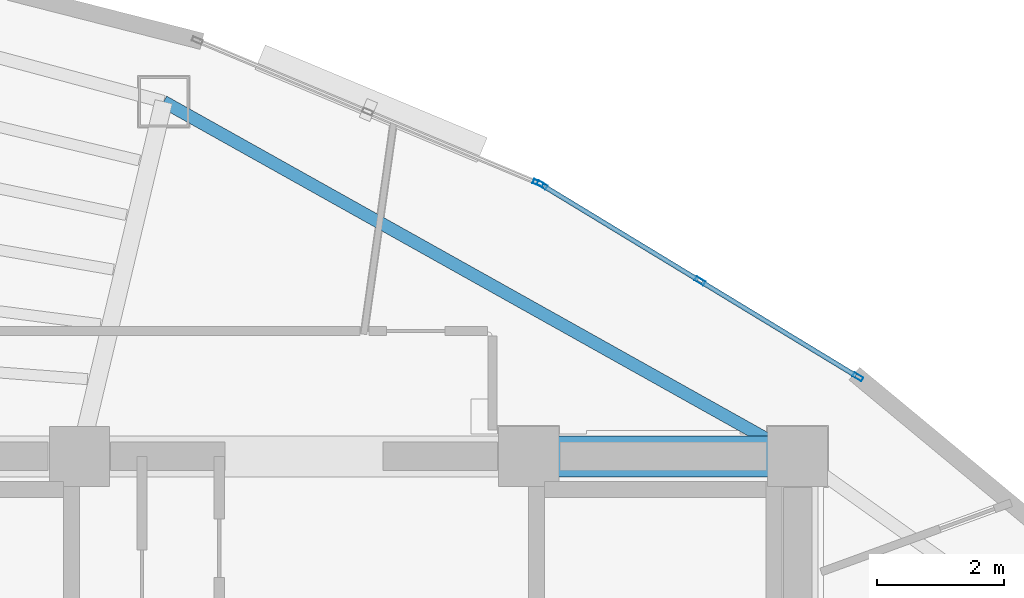
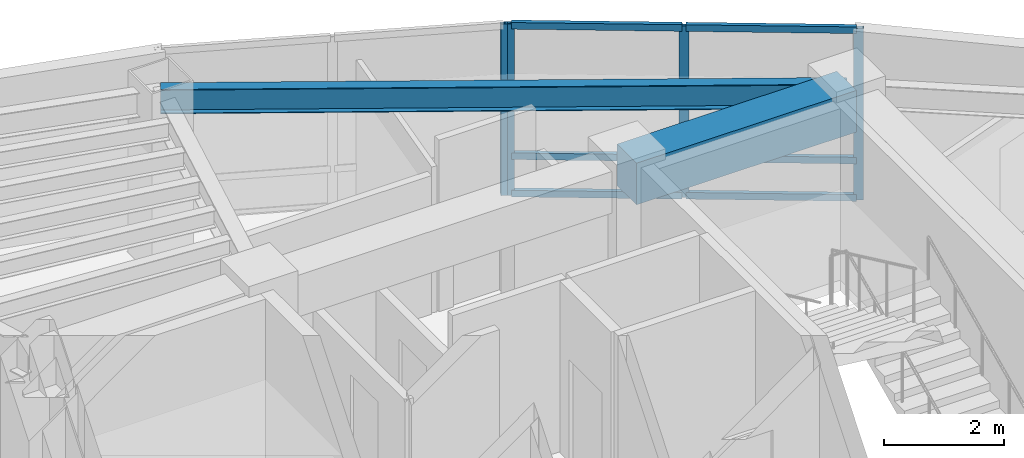
# One storey, part 10 of 16: 10 members, 2 beams, 2 elements without a shape of their own.
"""IFC4 building model written with IfcOpenShell, lengths in metres."""

from ifc_helpers import new_model, si_unit, direction, frame, origin, origin_2d, place, context, subcontext, project, spatial, rectangle, hollow_rectangle, i_section, extrude, material, layer, layer_set, material_profile, profile_set, type_object, element, aggregate, save


model = new_model("IFC4")

# Units and contexts
model_context = context("Model", 3, precision=1e-05, world=origin(), true_north=direction((0.0, 1.0)))
body_context = subcontext(model_context, "Body", "Model", "MODEL_VIEW")
ifc_project = project(units=[si_unit("LENGTHUNIT", "METRE"), si_unit("AREAUNIT", "SQUARE_METRE"), si_unit("VOLUMEUNIT", "CUBIC_METRE"), si_unit("PLANEANGLEUNIT", "RADIAN"), si_unit("MASSUNIT", "GRAM", prefix="KILO")], contexts=[model_context])

# Site, building, storey
site_placement = place(None, origin())
site = spatial("IfcSite", under=ifc_project, at=site_placement, CompositionType="ELEMENT")
building_placement = place(site_placement, origin())
building = spatial("IfcBuilding", under=site, at=building_placement, Name="Menara Vayukalpa", CompositionType="ELEMENT")
storey_placement = place(building_placement, frame((0.0, 0.0, 276.89990234375)))
storey = spatial("IfcBuildingStorey", under=building, at=storey_placement, Name="L70", CompositionType="ELEMENT", Elevation=276.89990234375)

# Beams
ifc_material_1 = material(Name="Concrete C60/75", Category="concrete")
ifc_material_profile_1 = material_profile(ifc_material_1, rectangle(XDim=0.64990234375, YDim=0.85009765625, at=origin_2d()), Name="RC 650x850")
ifc_profile_set_1 = profile_set([ifc_material_profile_1], Name="Concrete C60/75")
beam_type_1 = type_object("IfcBeamType", Name="BM-CB1", PredefinedType="BEAM", material=ifc_profile_set_1)
beam_1_placement = place(storey_placement, frame((29.14990234375, 26.800048828125, 3.0751953125), z_axis=(1.0, 0.0, 0.0), x_axis=(0.0, 1.0, 0.0)))
element("IfcBeam", 1, at=beam_1_placement, inside=storey, type_object=beam_type_1, Name="L70 Core Tie Beam CBR6", PredefinedType="BEAM", context=body_context, shape_type="SweptSolid", body=[
    extrude(rectangle(XDim=0.64990234375, YDim=0.85009765625, at=origin_2d()), origin(), (0.0, 0.0, 1.0), 4.25),
])
ifc_material_2 = material(Name="Steel S355", Category="steel")
ifc_material_profile_2 = material_profile(ifc_material_2, i_section(OverallWidth=0.199951171875, OverallDepth=0.5, WebThickness=0.010009765625, FlangeThickness=0.01611328125, at=origin_2d()), Name="WF 500x200x10x16")
ifc_profile_set_2 = profile_set([ifc_material_profile_2], Name="Steel S355")
beam_type_2 = type_object("IfcBeamType", Name="BM-SP3", PredefinedType="SPANDREL", material=ifc_profile_set_2)
beam_2_placement = place(storey_placement, frame((33.39990234375, 26.800048828125, 3.25), z_axis=(-0.87270577288, 0.48824648896, 0.0), x_axis=(-0.48824648896, -0.87270577288, 0.0)))
element("IfcBeam", 2, at=beam_2_placement, inside=storey, type_object=beam_type_2, Name="L70 Perimeter Spandrel Beam SP02", PredefinedType="SPANDREL", context=body_context, shape_type="SweptSolid", body=[
    extrude(i_section(OverallWidth=0.199951171875, OverallDepth=0.5, WebThickness=0.010009765625, FlangeThickness=0.01611328125, at=origin_2d()), origin(), (0.0, 0.0, 1.0), 11.479248046875),
])

# Curtain wall, members
ifc_material_3 = material(Name="Anodised Terracotta Aluminium Alloy 6063-T6", Category="masonry")
ifc_layer = layer(ifc_material_3, 0.1650390625)
ifc_layer_set = layer_set([ifc_layer], Name="Anodised Terracotta Aluminium Alloy 6063-T6")
curtain_wall_type = type_object("IfcCurtainWallType", Name="CW-CW6", PredefinedType="USERDEFINED", material=ifc_layer_set)
curtain_wall_1_placement = place(storey_placement, origin())
curtain_wall_1 = element("IfcCurtainWall", 3, at=curtain_wall_1_placement, inside=storey, type_object=curtain_wall_type, Name="L70 Observation and Executive Curtain Wall CW6 04", ObjectType="UNITISED", PredefinedType="USERDEFINED")
ifc_material_4 = material(Name="Anodised Terracotta Aluminium Alloy 6063-T6", Category="masonry")
ifc_material_profile_3 = material_profile(ifc_material_4, hollow_rectangle(XDim=0.070068359375, YDim=0.1650390625, WallThickness=0.00390625, at=origin_2d()), Name="ALU 70x165x4")
ifc_profile_set_3 = profile_set([ifc_material_profile_3], Name="Anodised Terracotta Aluminium Alloy 6063-T6")
member_type_1 = type_object("IfcMemberType", Name="CWM-CW6", PredefinedType="MULLION", material=ifc_profile_set_3)
member_1_placement = place(storey_placement, frame((34.35009765625, 28.056396484375, 0.0), z_axis=(0.0, 0.0, 1.0), x_axis=(-0.519175574558, -0.854667609532, 0.0)))
member_1 = element("IfcMember", 4, at=member_1_placement, type_object=member_type_1, Name="CW6 mullion 1", PredefinedType="MULLION", context=body_context, shape_type="SweptSolid", body=[
    extrude(hollow_rectangle(XDim=0.070068359375, YDim=0.1650390625, WallThickness=0.00390625, at=origin_2d()), origin(), (0.0, 0.0, 1.0), 3.5),
])
member_2_placement = place(storey_placement, frame((31.85546875, 29.57177734375, 0.0), z_axis=(0.0, 0.0, 1.0), x_axis=(-0.519175574558, -0.854667609532, 0.0)))
member_2 = element("IfcMember", 5, at=member_2_placement, type_object=member_type_1, Name="CW6 mullion 2", PredefinedType="MULLION", context=body_context, shape_type="SweptSolid", body=[
    extrude(hollow_rectangle(XDim=0.070068359375, YDim=0.1650390625, WallThickness=0.00390625, at=origin_2d()), origin(), (0.0, 0.0, 1.0), 3.5),
])
member_3_placement = place(storey_placement, frame((29.36083984375, 31.087158203125, 0.0), z_axis=(0.0, 0.0, 1.0), x_axis=(-0.519175574558, -0.854667609532, 0.0)))
member_3 = element("IfcMember", 6, at=member_3_placement, type_object=member_type_1, Name="CW6 mullion 3", PredefinedType="MULLION", context=body_context, shape_type="SweptSolid", body=[
    extrude(hollow_rectangle(XDim=0.070068359375, YDim=0.1650390625, WallThickness=0.00390625, at=origin_2d()), origin(), (0.0, 0.0, 1.0), 3.5),
])

# Curtain wall, member
curtain_wall_2_placement = place(storey_placement, origin())
curtain_wall_2 = element("IfcCurtainWall", 7, at=curtain_wall_2_placement, inside=storey, type_object=curtain_wall_type, Name="L70 Observation and Executive Curtain Wall CW6 05", ObjectType="UNITISED", PredefinedType="USERDEFINED")
member_4_placement = place(storey_placement, frame((29.298828125, 31.118896484375, 0.0), z_axis=(0.0, 0.0, 1.0), x_axis=(-0.385899911703, -0.922540653927, 0.0)))
member_4 = element("IfcMember", 8, at=member_4_placement, type_object=member_type_1, Name="CW6 mullion 1", PredefinedType="MULLION", context=body_context, shape_type="SweptSolid", body=[
    extrude(hollow_rectangle(XDim=0.070068359375, YDim=0.1650390625, WallThickness=0.00390625, at=origin_2d()), origin(), (0.0, 0.0, 1.0), 3.5),
])
aggregate(curtain_wall_2, [member_4])

# Member
ifc_material_5 = material(Name="Anodised Terracotta Aluminium Alloy 6063-T6", Category="masonry")
ifc_material_profile_4 = material_profile(ifc_material_5, hollow_rectangle(XDim=0.074951171875, YDim=0.135009765625, WallThickness=0.00390625, at=origin_2d()), Name="ALU 75x135x4")
ifc_profile_set_4 = profile_set([ifc_material_profile_4], Name="Anodised Terracotta Aluminium Alloy 6063-T6")
member_type_2 = type_object("IfcMemberType", Name="CWT-CW6", PredefinedType="USERDEFINED", material=ifc_profile_set_4)
member_5_placement = place(storey_placement, frame((34.320068359375, 28.07470703125, 0.03759765625), z_axis=(-0.854674800659, 0.519163736328, 0.0), x_axis=(-0.519163736328, -0.85467480066, 0.0)))
member_5 = element("IfcMember", 9, at=member_5_placement, type_object=member_type_2, Name="CW6 transom 1.1", ObjectType="TRANSOM", PredefinedType="USERDEFINED", context=body_context, shape_type="SweptSolid", body=[
    extrude(hollow_rectangle(XDim=0.074951171875, YDim=0.135009765625, WallThickness=0.00390625, at=origin_2d()), origin(), (0.0, 0.0, 1.0), 2.848876953125),
])

member_6_placement = place(storey_placement, frame((34.320068359375, 28.07470703125, 0.800048828125), z_axis=(-0.854674800659, 0.519163736328, 0.0), x_axis=(-0.519163736328, -0.85467480066, 0.0)))
member_6 = element("IfcMember", 10, at=member_6_placement, type_object=member_type_2, Name="CW6 transom 1.2", ObjectType="TRANSOM", PredefinedType="USERDEFINED", context=body_context, shape_type="SweptSolid", body=[
    extrude(hollow_rectangle(XDim=0.074951171875, YDim=0.135009765625, WallThickness=0.00390625, at=origin_2d()), origin(), (0.0, 0.0, 1.0), 2.848876953125),
])

member_7_placement = place(storey_placement, frame((34.320068359375, 28.07470703125, 3.462646484375), z_axis=(-0.854674800659, 0.519163736328, 0.0), x_axis=(-0.519163736328, -0.85467480066, 0.0)))
member_7 = element("IfcMember", 11, at=member_7_placement, type_object=member_type_2, Name="CW6 transom 1.3", ObjectType="TRANSOM", PredefinedType="USERDEFINED", context=body_context, shape_type="SweptSolid", body=[
    extrude(hollow_rectangle(XDim=0.074951171875, YDim=0.135009765625, WallThickness=0.00390625, at=origin_2d()), origin(), (0.0, 0.0, 1.0), 2.848876953125),
])

member_8_placement = place(storey_placement, frame((31.825439453125, 29.590087890625, 0.03759765625), z_axis=(-0.854689729536, 0.519139158825, 0.0), x_axis=(-0.519139158825, -0.854689729536, 0.0)))
member_8 = element("IfcMember", 12, at=member_8_placement, type_object=member_type_2, Name="CW6 transom 2.1", ObjectType="TRANSOM", PredefinedType="USERDEFINED", context=body_context, shape_type="SweptSolid", body=[
    extrude(hollow_rectangle(XDim=0.074951171875, YDim=0.135009765625, WallThickness=0.00390625, at=origin_2d()), origin(), (0.0, 0.0, 1.0), 2.848388671875),
])

member_9_placement = place(storey_placement, frame((31.825439453125, 29.590087890625, 0.800048828125), z_axis=(-0.854689729536, 0.519139158825, 0.0), x_axis=(-0.519139158825, -0.854689729536, 0.0)))
member_9 = element("IfcMember", 13, at=member_9_placement, type_object=member_type_2, Name="CW6 transom 2.2", ObjectType="TRANSOM", PredefinedType="USERDEFINED", context=body_context, shape_type="SweptSolid", body=[
    extrude(hollow_rectangle(XDim=0.074951171875, YDim=0.135009765625, WallThickness=0.00390625, at=origin_2d()), origin(), (0.0, 0.0, 1.0), 2.848388671875),
])

member_10_placement = place(storey_placement, frame((31.825439453125, 29.590087890625, 3.462646484375), z_axis=(-0.854689729536, 0.519139158825, 0.0), x_axis=(-0.519139158825, -0.854689729536, 0.0)))
member_10 = element("IfcMember", 14, at=member_10_placement, type_object=member_type_2, Name="CW6 transom 2.3", ObjectType="TRANSOM", PredefinedType="USERDEFINED", context=body_context, shape_type="SweptSolid", body=[
    extrude(hollow_rectangle(XDim=0.074951171875, YDim=0.135009765625, WallThickness=0.00390625, at=origin_2d()), origin(), (0.0, 0.0, 1.0), 2.848388671875),
])

aggregate(curtain_wall_1, [member_1, member_2, member_3, member_5, member_6, member_7, member_8, member_9, member_10])

save(model, "model.ifc")
